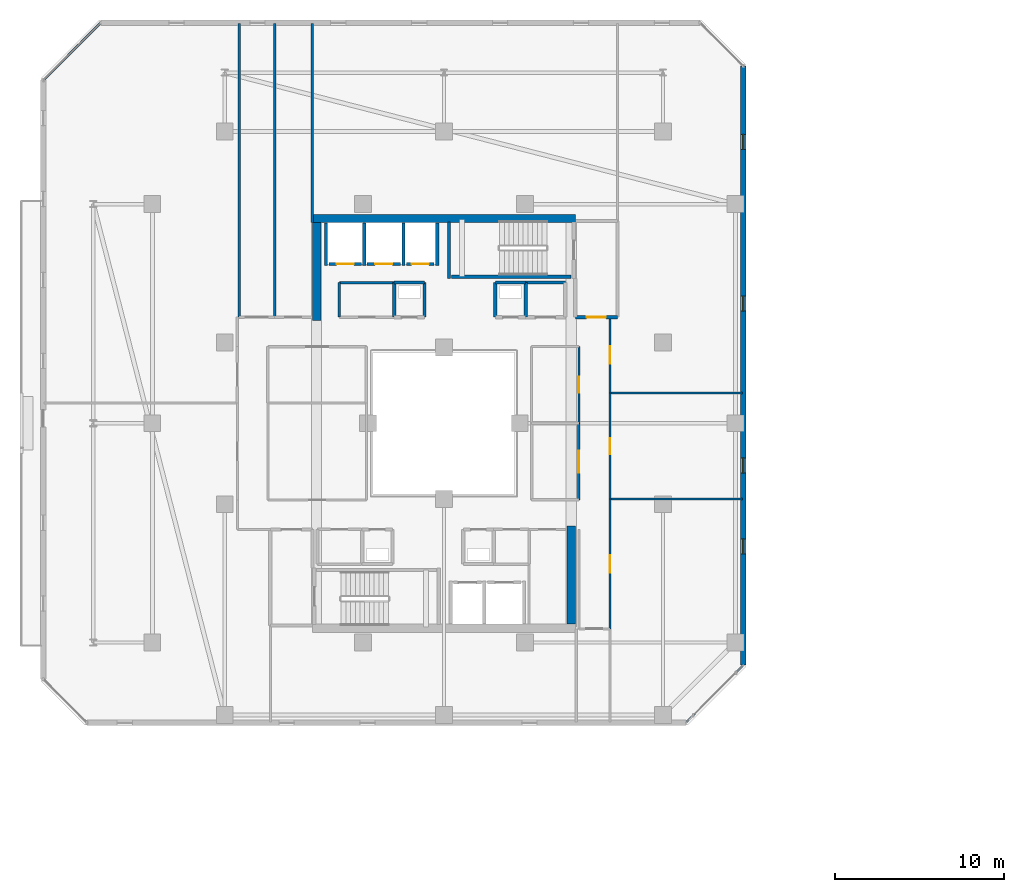
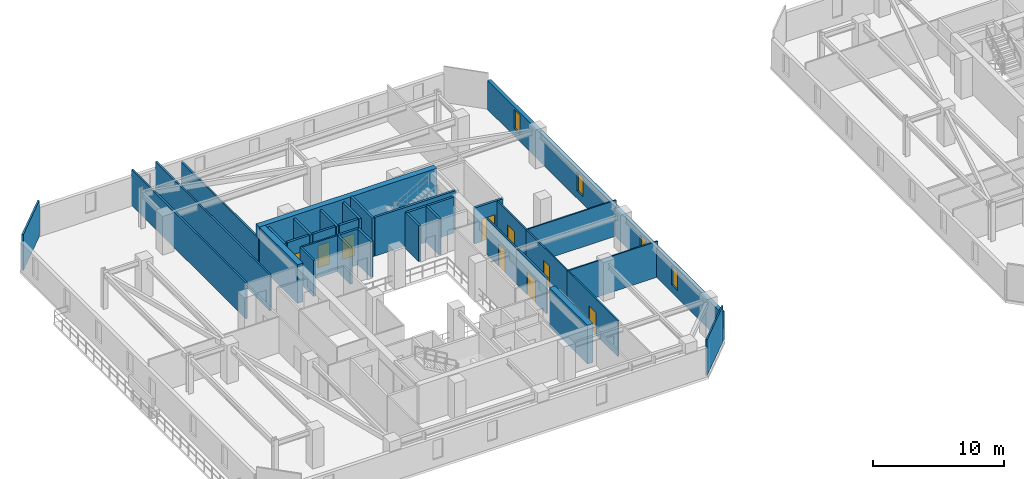
# One storey, part 21 of 33: 35 walls, 9 doors, 4 windows, 13 openings.
"""IFC4 building model written with IfcOpenShell, lengths in metres."""

import ifcopenshell
import ifcopenshell.guid

model = None  # the IFC model being written
_history = None  # IfcOwnerHistory: only IFC2X3 demands one
_inside = {}  # id of a spatial element -> (the spatial element, [elements in it])
_under = {}  # id of a project, library or spatial element -> (it, [spatial elements below it])
_declared = {}  # id of a project -> (the project, [libraries it declares])
_typed = {}  # id of a type object -> (the type object, [elements of that type])
_made_of = {}  # id of a material, layer set ... -> (it, [elements and type objects made of it])


def new_model(schema):
    """Start an empty IFC model of exactly this schema.

    Asked for "IFC4X3", IfcOpenShell would pick the latest addendum, in which some entities
    have other attributes; the version numbers below select the first issue.
    IFC2X3 requires an IfcOwnerHistory on every rooted entity: one is made here for all.
    """
    global model, _history
    if schema == "IFC4X3":
        model = ifcopenshell.file(schema_version=(4, 3, 0, 0))
    else:
        model = ifcopenshell.file(schema=schema)
    _inside.clear()
    _under.clear()
    _declared.clear()
    _typed.clear()
    _made_of.clear()
    _history = None
    if model.schema == "IFC2X3":
        org = make("IfcOrganization", Name="unknown")
        user = make(
            "IfcPersonAndOrganization",
            ThePerson=make("IfcPerson", FamilyName="unknown"),
            TheOrganization=org,
        )
        app = make(
            "IfcApplication",
            ApplicationDeveloper=org,
            Version="unknown",
            ApplicationFullName="unknown",
            ApplicationIdentifier="unknown",
        )
        _history = make(
            "IfcOwnerHistory",
            OwningUser=user,
            OwningApplication=app,
            ChangeAction="ADDED",
            CreationDate=0,
        )
    return model


def make(cls, **values):
    """One entity of the class cls with the attributes given. An attribute that is None is left unset."""
    return model.create_entity(
        cls, **{name: value for name, value in values.items() if value is not None}
    )


def rooted(cls, **values):
    """An entity with a GlobalId (a new one), such as an element, a storey or a relation."""
    return make(cls, GlobalId=ifcopenshell.guid.new(), OwnerHistory=_history, **values)


def si_unit(unit_type, name, prefix=None):
    """IfcSIUnit, for example si_unit("LENGTHUNIT", "METRE", prefix="MILLI")."""
    return make("IfcSIUnit", UnitType=unit_type, Prefix=prefix, Name=name)


def assignment(units):
    """IfcUnitAssignment: the units of a project."""
    return None if units is None else make("IfcUnitAssignment", Units=units)


def point(xyz):
    """IfcCartesianPoint."""
    return None if xyz is None else make("IfcCartesianPoint", Coordinates=xyz)


def direction(xyz):
    """IfcDirection."""
    return None if xyz is None else make("IfcDirection", DirectionRatios=xyz)


def frame(location, z_axis=None, x_axis=None):
    """IfcAxis2Placement3D, a coordinate frame: its origin and axes. An axis left out is left unset."""
    return make(
        "IfcAxis2Placement3D",
        Location=point(location),
        Axis=direction(z_axis),
        RefDirection=direction(x_axis),
    )


def frame_2d(location, x_axis=None):
    """IfcAxis2Placement2D, a coordinate frame in the plane: its origin and x axis."""
    return make(
        "IfcAxis2Placement2D", Location=point(location), RefDirection=direction(x_axis)
    )


def origin():
    """The frame at (0, 0, 0) with its axes left unset."""
    return frame((0.0, 0.0, 0.0))


def place(relative_to, where):
    """IfcLocalPlacement: puts the frame where relative to a parent placement (None: the world)."""
    return make(
        "IfcLocalPlacement", PlacementRelTo=relative_to, RelativePlacement=where
    )


def context(
    kind, dimensions, precision=None, world=None, true_north=None, identifier=None
):
    """IfcGeometricRepresentationContext, for example the 3D "Model" context."""
    return make(
        "IfcGeometricRepresentationContext",
        ContextIdentifier=identifier,
        ContextType=kind,
        CoordinateSpaceDimension=dimensions,
        Precision=precision,
        WorldCoordinateSystem=world,
        TrueNorth=true_north,
    )


def subcontext(parent, identifier, kind, view, scale=None):
    """IfcGeometricRepresentationSubContext, for example "Body" below "Model"."""
    return make(
        "IfcGeometricRepresentationSubContext",
        ContextIdentifier=identifier,
        ContextType=kind,
        ParentContext=parent,
        TargetScale=scale,
        TargetView=view,
    )


def project(units=None, contexts=None):
    """IfcProject with its units and contexts."""
    return rooted(
        "IfcProject",
        Name="project",
        RepresentationContexts=contexts,
        UnitsInContext=assignment(units),
    )


def spatial(cls, under=None, at=None, **own):
    """A site, building, storey or space (cls), placed at a placement, below another one or the project."""
    s = rooted(cls, ObjectPlacement=at, **own)
    if under is not None:
        _under.setdefault(under.id(), (under, []))[1].append(s)
    return s


def profile(cls, at=None, kind="AREA", **sizes):
    """A parametric profile (cls). Its sizes go by their IFC names, for example OverallWidth=200.0."""
    return make(cls, ProfileType=kind, Position=at, **sizes)


def rectangle(**sizes):
    """IfcRectangleProfileDef."""
    return profile("IfcRectangleProfileDef", **sizes)


def extrude(swept, where, along, depth):
    """IfcExtrudedAreaSolid: the profile swept, set in the frame where, extruded along a direction by depth."""
    return make(
        "IfcExtrudedAreaSolid",
        SweptArea=swept,
        Position=where,
        ExtrudedDirection=direction(along),
        Depth=depth,
    )


def shape(context_of_items, identifier, shape_type, items):
    """IfcShapeRepresentation: the items that make up one representation, for example the "Body"."""
    return make(
        "IfcShapeRepresentation",
        ContextOfItems=context_of_items,
        RepresentationIdentifier=identifier,
        RepresentationType=shape_type,
        Items=items,
    )


def material(Name=None, Category=None):
    """IfcMaterial."""
    return make("IfcMaterial", Name=Name, Category=Category)


def layer(
    of_material, thickness, ventilated=None, Name=None, Category=None, Priority=None
):
    """IfcMaterialLayer: one layer of a wall or slab, of a material (None: an air gap)."""
    return make(
        "IfcMaterialLayer",
        Material=of_material,
        LayerThickness=thickness,
        IsVentilated=ventilated,
        Name=Name,
        Category=Category,
        Priority=Priority,
    )


def layer_set(layers, Name=None):
    """IfcMaterialLayerSet."""
    return make("IfcMaterialLayerSet", MaterialLayers=layers, LayerSetName=Name)


def made_of(thing, what):
    """Note that an element or type object is made of a material, layer set ...; save() writes the relation."""
    if what is not None:
        _made_of.setdefault(what.id(), (what, []))[1].append(thing)
    return thing


def type_object(cls, material=None, **own):
    """A type object (cls), such as IfcWallType, which elements share."""
    return made_of(rooted(cls, **own), material)


def element(
    cls,
    number,
    at=None,
    inside=None,
    cuts=None,
    type_object=None,
    material=None,
    context=None,
    identifier="Body",
    shape_type=None,
    held_by="IfcProductDefinitionShape",
    body=None,
    shapes=None,
    **own,
):
    """One element of the class cls, such as IfcWall. Its Tag is "e" and its number.

    at: its placement. inside: the storey or other place that contains it. cuts: it is an
    opening in that element (IfcRelVoidsElement). A single representation is given by context,
    identifier, shape_type and body (its items); several are given by shapes. held_by: the class
    of the entity that holds the representations. save() writes the other relations.
    """
    e = rooted(cls, Tag="e%d" % number, ObjectPlacement=at, **own)
    if body is not None:
        shapes = [shape(context, identifier, shape_type, body)]
    if shapes is not None:
        e.Representation = make(held_by, Representations=shapes)
    if inside is not None:
        _inside.setdefault(inside.id(), (inside, []))[1].append(e)
    if cuts is not None:
        rooted(
            "IfcRelVoidsElement", RelatingBuildingElement=cuts, RelatedOpeningElement=e
        )
    if type_object is not None:
        _typed.setdefault(type_object.id(), (type_object, []))[1].append(e)
    return made_of(e, material)


def fill(opening, filler):
    """IfcRelFillsElement: the door or window that sits in an opening."""
    return rooted(
        "IfcRelFillsElement",
        RelatingOpeningElement=opening,
        RelatedBuildingElement=filler,
    )


def aggregate(whole, parts):
    """IfcRelAggregates: a whole, such as a stair, and the parts it consists of."""
    return rooted("IfcRelAggregates", RelatingObject=whole, RelatedObjects=parts)


def save(model, path):
    """Write the relations noted so far, then the file.

    IfcRelAggregates (storeys below a building ...), IfcRelContainedInSpatialStructure (elements
    in a storey), IfcRelDefinesByType, IfcRelAssociatesMaterial and IfcRelDeclares: one each for
    every whole, place, type object, material and project.
    """
    for whole, parts in _under.values():
        aggregate(whole, parts)
    for where, things in _inside.values():
        rooted(
            "IfcRelContainedInSpatialStructure",
            RelatedElements=things,
            RelatingStructure=where,
        )
    for kind, things in _typed.values():
        rooted("IfcRelDefinesByType", RelatedObjects=things, RelatingType=kind)
    for what, things in _made_of.values():
        rooted("IfcRelAssociatesMaterial", RelatedObjects=things, RelatingMaterial=what)
    for by, libraries in _declared.values():
        rooted("IfcRelDeclares", RelatingContext=by, RelatedDefinitions=libraries)
    model.write(path)


model = new_model("IFC4")

# Units and contexts
model_context = context("Model", 3, precision=1e-05, world=origin(), true_north=direction((0.0, 1.0)))
body_context = subcontext(model_context, "Body", "Model", "MODEL_VIEW")
ifc_project = project(units=[si_unit("LENGTHUNIT", "METRE"), si_unit("AREAUNIT", "SQUARE_METRE"), si_unit("VOLUMEUNIT", "CUBIC_METRE"), si_unit("PLANEANGLEUNIT", "RADIAN"), si_unit("MASSUNIT", "GRAM", prefix="KILO")], contexts=[model_context])

# Site, building, storey
site_placement = place(None, origin())
site = spatial("IfcSite", under=ifc_project, at=site_placement, CompositionType="ELEMENT")
building_placement = place(site_placement, origin())
building = spatial("IfcBuilding", under=site, at=building_placement, Name="Thornwick Lancets Civic Towers", CompositionType="ELEMENT")
storey_placement = place(building_placement, frame((0.0, 0.0, 210.89990234375)))
storey = spatial("IfcBuildingStorey", under=building, at=storey_placement, Name="L56", CompositionType="ELEMENT", Elevation=210.89990234375)

# Wall, opening, door
ifc_material_1 = material(Name="Concrete blockwork C40/50", Category="masonry")
ifc_layer_1 = layer(ifc_material_1, 0.199951171875, Name="Concrete blockwork C40/50")
ifc_layer_set_1 = layer_set([ifc_layer_1], Name="Concrete blockwork C40/50")
wall_type_1 = type_object("IfcWallType", Name="WALL_COMP_200", PredefinedType="STANDARD", material=ifc_layer_set_1)
wall_1_placement = place(storey_placement, frame((24.919921875, 36.449951171875, 0.0), z_axis=(0.0, 0.0, 1.0), x_axis=(-1.0, 0.0, 0.0)))
wall_1 = element("IfcWall", 1, at=wall_1_placement, inside=storey, type_object=wall_type_1, Name="L56 Hoistway Front Wall FL-A2", PredefinedType="STANDARD", context=body_context, shape_type="SweptSolid", body=[
    extrude(rectangle(XDim=1.639892578125, YDim=0.199951171875, at=frame_2d((0.81982421875, 0.0))), origin(), (0.0, 0.0, 1.0), 3.340087890625),
])
opening_1_placement = place(wall_1_placement, frame((0.31005859375, 0.0, 0.0)))
opening_1 = element("IfcOpeningElement", 2, at=opening_1_placement, cuts=wall_1, Name="Opening LD-FL-A2", PredefinedType="OPENING", context=body_context, shape_type="SweptSolid", body=[
    extrude(rectangle(XDim=1.02001953125, YDim=2.06005859375, at=frame_2d((0.510009765625, 1.030029296875))), frame((0.0, 0.10986328125, 0.0), z_axis=(0.0, -1.0, 0.0), x_axis=(1.0, 0.0, 0.0)), (0.0, 0.0, 1.0), 0.219970703125),
])
ifc_material_2 = material(Name="Brushed bronze stainless steel", Category="steel")
door_type_1 = type_object("IfcDoorType", Name="DOOR_LIFT_SLIDE", OperationType="SLIDING_TO_LEFT", PredefinedType="DOOR", material=ifc_material_2)
door_1_placement = place(opening_1_placement, origin())
door_1 = element("IfcDoor", 3, at=door_1_placement, inside=storey, type_object=door_type_1, Name="L56 Sliding Lift Landing Door LD-FL-A2", OperationType="SLIDING_TO_LEFT", OverallHeight=2.06005859375, OverallWidth=1.02001953125, PredefinedType="DOOR", context=body_context, shape_type="SweptSolid", body=[
    extrude(rectangle(XDim=1.02001953125, YDim=2.06005859375, at=frame_2d((0.510009765625, 1.030029296875))), frame((0.0, 0.02490234375, 0.0), z_axis=(0.0, -1.0, 0.0), x_axis=(1.0, 0.0, 0.0)), (0.0, 0.0, 1.0), 0.050048828125),
])
fill(opening_1, door_1)

wall_2_placement = place(storey_placement, frame((22.919921875, 36.449951171875, 0.0), z_axis=(0.0, 0.0, 1.0), x_axis=(-1.0, 0.0, 0.0)))
wall_2 = element("IfcWall", 4, at=wall_2_placement, inside=storey, type_object=wall_type_1, Name="L56 Hoistway Front Wall PL-AH2", PredefinedType="STANDARD", context=body_context, shape_type="SweptSolid", body=[
    extrude(rectangle(XDim=1.989990234375, YDim=0.199951171875, at=frame_2d((0.9951171875, 0.0))), origin(), (0.0, 0.0, 1.0), 3.340087890625),
])
opening_2_placement = place(wall_2_placement, frame((0.485107421875, 0.0, 0.0)))
opening_2 = element("IfcOpeningElement", 5, at=opening_2_placement, cuts=wall_2, Name="Opening LD-PL-AH2", PredefinedType="OPENING", context=body_context, shape_type="SweptSolid", body=[
    extrude(rectangle(XDim=1.02001953125, YDim=2.06005859375, at=frame_2d((0.510009765625, 1.030029296875))), frame((0.0, 0.10986328125, 0.0), z_axis=(0.0, -1.0, 0.0), x_axis=(1.0, 0.0, 0.0)), (0.0, 0.0, 1.0), 0.219970703125),
])
door_2_placement = place(opening_2_placement, origin())
door_2 = element("IfcDoor", 6, at=door_2_placement, inside=storey, type_object=door_type_1, Name="L56 Sliding Lift Landing Door LD-PL-AH2", OperationType="SLIDING_TO_LEFT", OverallHeight=2.06005859375, OverallWidth=1.02001953125, PredefinedType="DOOR", context=body_context, shape_type="SweptSolid", body=[
    extrude(rectangle(XDim=1.02001953125, YDim=2.06005859375, at=frame_2d((0.510009765625, 1.030029296875))), frame((0.0, 0.02490234375, 0.0), z_axis=(0.0, -1.0, 0.0), x_axis=(1.0, 0.0, 0.0)), (0.0, 0.0, 1.0), 0.050048828125),
])
fill(opening_2, door_2)

wall_3_placement = place(storey_placement, frame((20.6201171875, 36.449951171875, 0.0), z_axis=(0.0, 0.0, 1.0), x_axis=(-1.0, 0.0, 0.0)))
wall_3 = element("IfcWall", 7, at=wall_3_placement, inside=storey, type_object=wall_type_1, Name="L56 Hoistway Front Wall PL-AH3", PredefinedType="STANDARD", context=body_context, shape_type="SweptSolid", body=[
    extrude(rectangle(XDim=1.940185546875, YDim=0.199951171875, at=frame_2d((0.97021484375, 0.0))), origin(), (0.0, 0.0, 1.0), 3.340087890625),
])
opening_3_placement = place(wall_3_placement, frame((0.4599609375, 0.0, 0.0)))
opening_3 = element("IfcOpeningElement", 8, at=opening_3_placement, cuts=wall_3, Name="Opening LD-PL-AH3", PredefinedType="OPENING", context=body_context, shape_type="SweptSolid", body=[
    extrude(rectangle(XDim=1.02001953125, YDim=2.06005859375, at=frame_2d((0.510009765625, 1.030029296875))), frame((0.0, 0.10986328125, 0.0), z_axis=(0.0, -1.0, 0.0), x_axis=(1.0, 0.0, 0.0)), (0.0, 0.0, 1.0), 0.219970703125),
])
door_3_placement = place(opening_3_placement, origin())
door_3 = element("IfcDoor", 9, at=door_3_placement, inside=storey, type_object=door_type_1, Name="L56 Sliding Lift Landing Door LD-PL-AH3", OperationType="SLIDING_TO_LEFT", OverallHeight=2.06005859375, OverallWidth=1.02001953125, PredefinedType="DOOR", context=body_context, shape_type="SweptSolid", body=[
    extrude(rectangle(XDim=1.02001953125, YDim=2.06005859375, at=frame_2d((0.510009765625, 1.030029296875))), frame((0.0, 0.02490234375, 0.0), z_axis=(0.0, -1.0, 0.0), x_axis=(1.0, 0.0, 0.0)), (0.0, 0.0, 1.0), 0.050048828125),
])
fill(opening_3, door_3)

# Walls
for number, where, z_axis, x_axis, name in (
    (10, (25.10009765625, 36.35205078125, 0.0), (0.0, 0.0, 1.0), (0.0, 1.0, 0.0), "L56 Hoistway Shaft Wall FL-A2 E"),
    (11, (23.10009765625, 36.35205078125, 0.0), (0.0, 0.0, 1.0), (0.0, 1.0, 0.0), "L56 Hoistway Shaft Wall FL-A2 W"),
    (12, (20.77490234375, 36.35205078125, 0.0), (0.0, 0.0, 1.0), (0.0, 1.0, 0.0), "L56 Hoistway Shaft Wall PL-AH2 W"),
    (13, (18.5, 36.35205078125, 0.0), (0.0, 0.0, 1.0), (0.0, 1.0, 0.0), "L56 Hoistway Shaft Wall PL-AH3 W"),
):
    element("IfcWall", number, at=place(storey_placement, frame(where, z_axis=z_axis, x_axis=x_axis)), inside=storey, type_object=wall_type_1, Name=name, PredefinedType="STANDARD", context=body_context, shape_type="SweptSolid", body=[
        extrude(rectangle(XDim=2.535888671875, YDim=0.199951171875, at=frame_2d((1.26806640625, 0.0))), origin(), (0.0, 0.0, 1.0), 3.340087890625),
    ])

# Wall, opening, door
wall_4_placement = place(storey_placement, frame((33.300048828125, 33.300048828125, 0.0), z_axis=(0.0, 0.0, 1.0), x_axis=(1.0, 0.0, 0.0)))
wall_4 = element("IfcWall", 14, at=wall_4_placement, inside=storey, type_object=wall_type_1, Name="L56 Partition L56-A-FFLOB2 E1", PredefinedType="STANDARD", context=body_context, shape_type="SweptSolid", body=[
    extrude(rectangle(XDim=2.5, YDim=0.199951171875, at=frame_2d((1.25, 0.0))), origin(), (0.0, 0.0, 1.0), 3.340087890625),
])
opening_4_placement = place(wall_4_placement, frame((0.659912109375, 0.0, 0.0)))
opening_4 = element("IfcOpeningElement", 15, at=opening_4_placement, cuts=wall_4, Name="Opening D-L56-2480", PredefinedType="OPENING", context=body_context, shape_type="SweptSolid", body=[
    extrude(rectangle(XDim=1.14990234375, YDim=2.10009765625, at=frame_2d((0.574951171875, 1.050048828125))), frame((0.0, 0.10986328125, 0.0), z_axis=(0.0, -1.0, 0.0), x_axis=(1.0, 0.0, 0.0)), (0.0, 0.0, 1.0), 0.219970703125),
])
ifc_material_3 = material(Name="Glazed fire-resisting steel", Category="steel")
door_type_2 = type_object("IfcDoorType", Name="DOOR_LOBBY_FD60", OperationType="NOTDEFINED", PredefinedType="DOOR", material=ifc_material_3)
door_4_placement = place(opening_4_placement, origin())
door_4 = element("IfcDoor", 16, at=door_4_placement, inside=storey, type_object=door_type_2, Name="L56 North Firefighting Lobby 2 Door", OperationType="SINGLE_SWING_LEFT", OverallHeight=2.10009765625, OverallWidth=1.14990234375, PredefinedType="DOOR", context=body_context, shape_type="SweptSolid", body=[
    extrude(rectangle(XDim=1.14990234375, YDim=2.10009765625, at=frame_2d((0.574951171875, 1.050048828125))), frame((0.0, 0.02490234375, 0.0), z_axis=(0.0, -1.0, 0.0), x_axis=(1.0, 0.0, 0.0)), (0.0, 0.0, 1.0), 0.050048828125),
])
fill(opening_4, door_4)

# Walls
wall_5_placement = place(storey_placement, frame((24.35009765625, 33.300048828125, 0.0), z_axis=(0.0, 0.0, 1.0), x_axis=(0.0, 1.0, 0.0)))
element("IfcWall", 17, at=wall_5_placement, inside=storey, type_object=wall_type_1, Name="L56 Partition L56-A-DUCT2 E2", PredefinedType="STANDARD", context=body_context, shape_type="SweptSolid", body=[
    extrude(rectangle(XDim=2.050048828125, YDim=0.199951171875, at=frame_2d((1.02490234375, 0.0))), origin(), (0.0, 0.0, 1.0), 3.340087890625),
])
wall_6_placement = place(storey_placement, frame((24.35009765625, 35.35009765625, 0.0), z_axis=(0.0, 0.0, 1.0), x_axis=(-1.0, 0.0, 0.0)))
element("IfcWall", 18, at=wall_6_placement, inside=storey, type_object=wall_type_1, Name="L56 Partition L56-A-DUCT2 E3", PredefinedType="STANDARD", context=body_context, shape_type="SweptSolid", body=[
    extrude(rectangle(XDim=1.800048828125, YDim=0.199951171875, at=frame_2d((0.89990234375, 0.0))), origin(), (0.0, 0.0, 1.0), 3.340087890625),
])
for number, where, z_axis, x_axis, name in (
    (19, (22.550048828125, 35.35009765625, 0.0), (0.0, 0.0, 1.0), (0.0, -1.0, 0.0), "L56 Partition L56-A-DUCT2 E4"),
    (20, (30.35009765625, 33.300048828125, 0.0), (0.0, 0.0, 1.0), (0.0, 1.0, 0.0), "L56 Partition L56-A-RISER2 E2"),
):
    element("IfcWall", number, at=place(storey_placement, frame(where, z_axis=z_axis, x_axis=x_axis)), inside=storey, type_object=wall_type_1, Name=name, PredefinedType="STANDARD", context=body_context, shape_type="SweptSolid", body=[
        extrude(rectangle(XDim=2.050048828125, YDim=0.199951171875, at=frame_2d((1.02490234375, 0.0))), origin(), (0.0, 0.0, 1.0), 3.340087890625),
    ])
wall_7_placement = place(storey_placement, frame((30.35009765625, 35.35009765625, 0.0), z_axis=(0.0, 0.0, 1.0), x_axis=(-1.0, 0.0, 0.0)))
element("IfcWall", 21, at=wall_7_placement, inside=storey, type_object=wall_type_1, Name="L56 Partition L56-A-RISER2 E3", PredefinedType="STANDARD", context=body_context, shape_type="SweptSolid", body=[
    extrude(rectangle(XDim=1.800048828125, YDim=0.199951171875, at=frame_2d((0.89990234375, 0.0))), origin(), (0.0, 0.0, 1.0), 3.340087890625),
])
wall_8_placement = place(storey_placement, frame((28.550048828125, 35.35009765625, 0.0), z_axis=(0.0, 0.0, 1.0), x_axis=(0.0, -1.0, 0.0)))
element("IfcWall", 22, at=wall_8_placement, inside=storey, type_object=wall_type_1, Name="L56 Partition L56-A-RISER2 E4", PredefinedType="STANDARD", context=body_context, shape_type="SweptSolid", body=[
    extrude(rectangle(XDim=2.050048828125, YDim=0.199951171875, at=frame_2d((1.02490234375, 0.0))), origin(), (0.0, 0.0, 1.0), 3.340087890625),
])
wall_9_placement = place(storey_placement, frame((30.35009765625, 35.35009765625, 0.0), z_axis=(0.0, 0.0, 1.0), x_axis=(1.0, 0.0, 0.0)))
element("IfcWall", 23, at=wall_9_placement, inside=storey, type_object=wall_type_1, Name="L56 Partition L56-A-STR E4", PredefinedType="STANDARD", context=body_context, shape_type="SweptSolid", body=[
    extrude(rectangle(XDim=2.349853515625, YDim=0.199951171875, at=frame_2d((1.1748046875, 0.0))), origin(), (0.0, 0.0, 1.0), 3.340087890625),
])
ifc_material_4 = material(Name="Concrete C50/60", Category="concrete")
ifc_layer_2 = layer(ifc_material_4, 0.5, Name="Concrete C50/60")
ifc_layer_set_2 = layer_set([ifc_layer_2], Name="Concrete C50/60")
wall_type_2 = type_object("IfcWallType", Name="WALL_CORE_500", PredefinedType="SHEAR", material=ifc_layer_set_2)
wall_10_placement = place(storey_placement, frame((33.050048828125, 15.10009765625, 0.0), z_axis=(0.0, 0.0, 1.0), x_axis=(0.0, 1.0, 0.0)))
element("IfcWall", 24, at=wall_10_placement, inside=storey, type_object=wall_type_2, Name="L56 Split Core A1 Shear Wall E", PredefinedType="SHEAR", context=body_context, shape_type="SweptSolid", body=[
    extrude(rectangle(XDim=5.7998046875, YDim=0.5, at=frame_2d((2.89990234375, 0.0))), origin(), (0.0, 0.0, 1.0), 3.60009765625),
])
wall_11_placement = place(storey_placement, frame((17.699951171875, 39.14990234375, 0.0), z_axis=(0.0, 0.0, 1.0), x_axis=(1.0, 0.0, 0.0)))
element("IfcWall", 25, at=wall_11_placement, inside=storey, type_object=wall_type_2, Name="L56 Split Core A2 Shear Wall N", PredefinedType="SHEAR", context=body_context, shape_type="SweptSolid", body=[
    extrude(rectangle(XDim=15.60009765625, YDim=0.5, at=frame_2d((7.800048828125, 0.0))), origin(), (0.0, 0.0, 1.0), 3.60009765625),
])
wall_12_placement = place(storey_placement, frame((17.949951171875, 33.10009765625, 0.0), z_axis=(0.0, 0.0, 1.0), x_axis=(0.0, 1.0, 0.0)))
element("IfcWall", 26, at=wall_12_placement, inside=storey, type_object=wall_type_2, Name="L56 Split Core A2 Shear Wall W", PredefinedType="SHEAR", context=body_context, shape_type="SweptSolid", body=[
    extrude(rectangle(XDim=5.7998046875, YDim=0.5, at=frame_2d((2.89990234375, 0.0))), origin(), (0.0, 0.0, 1.0), 3.60009765625),
])

# Wall, openings, windows
ifc_material_5 = material(Name="Insulated buff terracotta rainscreen on concrete C40/50", Category="masonry")
ifc_layer_3 = layer(ifc_material_5, 0.320068359375, Name="Insulated buff terracotta rainscreen on concrete C40/50")
ifc_layer_set_3 = layer_set([ifc_layer_3], Name="Insulated buff terracotta rainscreen on concrete C40/50")
wall_type_3 = type_object("IfcWallType", Name="WALL_EXT_TERRA_320", PredefinedType="STANDARD", material=ifc_layer_set_3)
wall_13_placement = place(storey_placement, frame((43.261962890625, 12.646484375, 0.0), z_axis=(0.0, 0.0, 1.0), x_axis=(7.5574884e-05, 0.999999997144, 0.0)))
wall_13 = element("IfcWall", 27, at=wall_13_placement, inside=storey, type_object=wall_type_3, Name="L56 Tower A Terracotta Facade Wall E2", PredefinedType="STANDARD", context=body_context, shape_type="SweptSolid", body=[
    extrude(rectangle(XDim=35.534912109375, YDim=0.320068359375, at=frame_2d((17.767578125, 0.0))), origin(), (0.0, 0.0, 1.0), 2.7001953125),
])
opening_5_placement = place(wall_13_placement, frame((6.60009765625, 0.0, 0.719970703125)))
opening_5 = element("IfcOpeningElement", 28, at=opening_5_placement, cuts=wall_13, Name="Opening WL-01", PredefinedType="OPENING", context=body_context, shape_type="SweptSolid", body=[
    extrude(rectangle(XDim=0.89990234375, YDim=1.75, at=frame_2d((0.449951171875, 0.875))), frame((0.0, 0.169921875, 0.0), z_axis=(0.0, -1.0, 0.0), x_axis=(1.0, 0.0, 0.0)), (0.0, 0.0, 1.0), 0.340087890625),
])
opening_6_placement = place(wall_13_placement, frame((11.39990234375, 0.0, 0.719970703125)))
opening_6 = element("IfcOpeningElement", 29, at=opening_6_placement, cuts=wall_13, Name="Opening WL-01", PredefinedType="OPENING", context=body_context, shape_type="SweptSolid", body=[
    extrude(rectangle(XDim=0.89990234375, YDim=1.75, at=frame_2d((0.449951171875, 0.875))), frame((0.0, 0.169921875, 0.0), z_axis=(0.0, -1.0, 0.0), x_axis=(1.0, 0.0, 0.0)), (0.0, 0.0, 1.0), 0.340087890625),
])
opening_7_placement = place(wall_13_placement, frame((21.0, 0.0, 0.719970703125)))
opening_7 = element("IfcOpeningElement", 30, at=opening_7_placement, cuts=wall_13, Name="Opening WL-01", PredefinedType="OPENING", context=body_context, shape_type="SweptSolid", body=[
    extrude(rectangle(XDim=0.89990234375, YDim=1.75, at=frame_2d((0.449951171875, 0.875))), frame((0.0, 0.169921875, 0.0), z_axis=(0.0, -1.0, 0.0), x_axis=(1.0, 0.0, 0.0)), (0.0, 0.0, 1.0), 0.340087890625),
])
opening_8_placement = place(wall_13_placement, frame((30.60009765625, 0.0, 0.719970703125)))
opening_8 = element("IfcOpeningElement", 31, at=opening_8_placement, cuts=wall_13, Name="Opening WL-01", PredefinedType="OPENING", context=body_context, shape_type="SweptSolid", body=[
    extrude(rectangle(XDim=0.89990234375, YDim=1.75, at=frame_2d((0.449951171875, 0.875))), frame((0.0, 0.169921875, 0.0), z_axis=(0.0, -1.0, 0.0), x_axis=(1.0, 0.0, 0.0)), (0.0, 0.0, 1.0), 0.340087890625),
])
ifc_material_6 = material(Name="Clear low-e double glazing in bronze frame", Category="glass")
window_type = type_object("IfcWindowType", Name="WIN_LANCET_900", PartitioningType="SINGLE_PANEL", PredefinedType="WINDOW", material=ifc_material_6)
window_1_placement = place(opening_5_placement, origin())
window_1 = element("IfcWindow", 32, at=window_1_placement, inside=storey, type_object=window_type, Name="L56 Tower A Staggered Lancet Window E2-1", OverallHeight=1.75, OverallWidth=0.89990234375, PartitioningType="SINGLE_PANEL", PredefinedType="WINDOW", context=body_context, shape_type="SweptSolid", body=[
    extrude(rectangle(XDim=0.89990234375, YDim=1.75, at=frame_2d((0.449951171875, 0.875))), frame((0.0, 0.030029296875, 0.0), z_axis=(0.0, -1.0, 0.0), x_axis=(1.0, 0.0, 0.0)), (0.0, 0.0, 1.0), 0.06005859375),
])
fill(opening_5, window_1)
window_2_placement = place(opening_6_placement, origin())
window_2 = element("IfcWindow", 33, at=window_2_placement, inside=storey, type_object=window_type, Name="L56 Tower A Staggered Lancet Window E2-2", OverallHeight=1.75, OverallWidth=0.89990234375, PartitioningType="SINGLE_PANEL", PredefinedType="WINDOW", context=body_context, shape_type="SweptSolid", body=[
    extrude(rectangle(XDim=0.89990234375, YDim=1.75, at=frame_2d((0.449951171875, 0.875))), frame((0.0, 0.030029296875, 0.0), z_axis=(0.0, -1.0, 0.0), x_axis=(1.0, 0.0, 0.0)), (0.0, 0.0, 1.0), 0.06005859375),
])
fill(opening_6, window_2)
window_3_placement = place(opening_7_placement, origin())
window_3 = element("IfcWindow", 34, at=window_3_placement, inside=storey, type_object=window_type, Name="L56 Tower A Staggered Lancet Window E2-3", OverallHeight=1.75, OverallWidth=0.89990234375, PartitioningType="SINGLE_PANEL", PredefinedType="WINDOW", context=body_context, shape_type="SweptSolid", body=[
    extrude(rectangle(XDim=0.89990234375, YDim=1.75, at=frame_2d((0.449951171875, 0.875))), frame((0.0, 0.030029296875, 0.0), z_axis=(0.0, -1.0, 0.0), x_axis=(1.0, 0.0, 0.0)), (0.0, 0.0, 1.0), 0.06005859375),
])
fill(opening_7, window_3)
window_4_placement = place(opening_8_placement, origin())
window_4 = element("IfcWindow", 35, at=window_4_placement, inside=storey, type_object=window_type, Name="L56 Tower A Staggered Lancet Window E2-4", OverallHeight=1.75, OverallWidth=0.89990234375, PartitioningType="SINGLE_PANEL", PredefinedType="WINDOW", context=body_context, shape_type="SweptSolid", body=[
    extrude(rectangle(XDim=0.89990234375, YDim=1.75, at=frame_2d((0.449951171875, 0.875))), frame((0.0, 0.030029296875, 0.0), z_axis=(0.0, -1.0, 0.0), x_axis=(1.0, 0.0, 0.0)), (0.0, 0.0, 1.0), 0.06005859375),
])
fill(opening_8, window_4)

# Wall, opening, door
ifc_material_7 = material(Name="Acoustic gypsum board partition")
ifc_layer_4 = layer(ifc_material_7, 0.1201171875, Name="Acoustic gypsum board partition")
ifc_layer_set_4 = layer_set([ifc_layer_4], Name="Acoustic gypsum board partition")
wall_type_4 = type_object("IfcWallType", Name="WALL_PART_120", PredefinedType="PARTITIONING", material=ifc_layer_set_4)
wall_14_placement = place(storey_placement, frame((35.35009765625, 14.800048828125, 0.0), z_axis=(0.0, 0.0, 1.0), x_axis=(0.0, 1.0, 0.0)))
wall_14 = element("IfcWall", 36, at=wall_14_placement, inside=storey, type_object=wall_type_4, Name="L56 Partition L56-A-E1 E3", PredefinedType="PARTITIONING", context=body_context, shape_type="SweptSolid", body=[
    extrude(rectangle(XDim=7.699951171875, YDim=0.1201171875, at=frame_2d((3.85009765625, 0.0))), origin(), (0.0, 0.0, 1.0), 3.340087890625),
])
opening_9_placement = place(wall_14_placement, frame((3.324951171875, 0.0, 0.0)))
opening_9 = element("IfcOpeningElement", 37, at=opening_9_placement, cuts=wall_14, Name="Opening D-L56-2508", PredefinedType="OPENING", context=body_context, shape_type="SweptSolid", body=[
    extrude(rectangle(XDim=1.050048828125, YDim=2.10009765625, at=frame_2d((0.52490234375, 1.050048828125))), frame((0.0, 0.070068359375, 0.0), z_axis=(0.0, -1.0, 0.0), x_axis=(1.0, 0.0, 0.0)), (0.0, 0.0, 1.0), 0.14013671875),
])
ifc_material_8 = material(Name="Glazed European oak executive doorset")
door_type_3 = type_object("IfcDoorType", Name="DOOR_OFFICE_1050", OperationType="NOTDEFINED", PredefinedType="DOOR", material=ifc_material_8)
door_5_placement = place(opening_9_placement, origin())
door_5 = element("IfcDoor", 38, at=door_5_placement, inside=storey, type_object=door_type_3, Name="L56 Tower A Secretariat Open Office E1 Door", OperationType="SINGLE_SWING_LEFT", OverallHeight=2.10009765625, OverallWidth=1.050048828125, PredefinedType="DOOR", context=body_context, shape_type="SweptSolid", body=[
    extrude(rectangle(XDim=1.050048828125, YDim=2.10009765625, at=frame_2d((0.52490234375, 1.050048828125))), frame((0.0, 0.02490234375, 0.0), z_axis=(0.0, -1.0, 0.0), x_axis=(1.0, 0.0, 0.0)), (0.0, 0.0, 1.0), 0.050048828125),
])
fill(opening_9, door_5)

# Walls
wall_15_placement = place(storey_placement, frame((35.35009765625, 22.5, 0.0), z_axis=(0.0, 0.0, 1.0), x_axis=(1.0, 0.0, 0.0)))
element("IfcWall", 39, at=wall_15_placement, inside=storey, type_object=wall_type_4, Name="L56 Partition L56-A-E1 E4", PredefinedType="PARTITIONING", context=body_context, shape_type="SweptSolid", body=[
    extrude(rectangle(XDim=7.869873046875, YDim=0.1201171875, at=frame_2d((3.93505859375, 0.0))), origin(), (0.0, 0.0, 1.0), 3.340087890625),
])
wall_16_placement = place(storey_placement, frame((43.219970703125, 12.605712890625, 0.0), z_axis=(0.0, 0.0, 1.0), x_axis=(-0.707106781187, -0.707106781187, 0.0)))
element("IfcWall", 40, at=wall_16_placement, inside=storey, type_object=wall_type_4, Name="L56 Partition L56-A-E1 E6", PredefinedType="PARTITIONING", context=body_context, shape_type="SweptSolid", body=[
    extrude(rectangle(XDim=4.703125, YDim=0.1201171875, at=frame_2d((2.3515625, 0.0))), origin(), (0.0, 0.0, 1.0), 3.340087890625),
])

# Wall, opening, door
wall_17_placement = place(storey_placement, frame((35.35009765625, 22.5, 0.0), z_axis=(0.0, 0.0, 1.0), x_axis=(0.0, 1.0, 0.0)))
wall_17 = element("IfcWall", 41, at=wall_17_placement, inside=storey, type_object=wall_type_4, Name="L56 Partition L56-A-E2 E1", PredefinedType="PARTITIONING", context=body_context, shape_type="SweptSolid", body=[
    extrude(rectangle(XDim=6.300048828125, YDim=0.1201171875, at=frame_2d((3.14990234375, 0.0))), origin(), (0.0, 0.0, 1.0), 3.340087890625),
])
opening_10_placement = place(wall_17_placement, frame((2.675048828125, 0.0, 0.0)))
opening_10 = element("IfcOpeningElement", 42, at=opening_10_placement, cuts=wall_17, Name="Opening D-L56-2509", PredefinedType="OPENING", context=body_context, shape_type="SweptSolid", body=[
    extrude(rectangle(XDim=0.949951171875, YDim=2.10009765625, at=frame_2d((0.47509765625, 1.050048828125))), frame((0.0, 0.070068359375, 0.0), z_axis=(0.0, -1.0, 0.0), x_axis=(1.0, 0.0, 0.0)), (0.0, 0.0, 1.0), 0.14013671875),
])
ifc_material_9 = material(Name="European oak acoustic doorset")
door_type_4 = type_object("IfcDoorType", Name="DOOR_OFFICE_950", OperationType="NOTDEFINED", PredefinedType="DOOR", material=ifc_material_9)
door_6_placement = place(opening_10_placement, origin())
door_6 = element("IfcDoor", 43, at=door_6_placement, inside=storey, type_object=door_type_4, Name="L56 Tower A Visitors Reception and Waiting Door", OperationType="SINGLE_SWING_RIGHT", OverallHeight=2.10009765625, OverallWidth=0.949951171875, PredefinedType="DOOR", context=body_context, shape_type="SweptSolid", body=[
    extrude(rectangle(XDim=0.949951171875, YDim=2.10009765625, at=frame_2d((0.47509765625, 1.050048828125))), frame((0.0, 0.02490234375, 0.0), z_axis=(0.0, -1.0, 0.0), x_axis=(1.0, 0.0, 0.0)), (0.0, 0.0, 1.0), 0.050048828125),
])
fill(opening_10, door_6)

# Wall
wall_18_placement = place(storey_placement, frame((35.35009765625, 28.800048828125, 0.0), z_axis=(0.0, 0.0, 1.0), x_axis=(1.0, 0.0, 0.0)))
element("IfcWall", 44, at=wall_18_placement, inside=storey, type_object=wall_type_4, Name="L56 Partition L56-A-E2 E2", PredefinedType="PARTITIONING", context=body_context, shape_type="SweptSolid", body=[
    extrude(rectangle(XDim=7.869873046875, YDim=0.1201171875, at=frame_2d((3.93505859375, 0.0))), origin(), (0.0, 0.0, 1.0), 3.340087890625),
])

# Wall, opening, door
wall_19_placement = place(storey_placement, frame((35.35009765625, 28.800048828125, 0.0), z_axis=(0.0, 0.0, 1.0), x_axis=(0.0, 1.0, 0.0)))
wall_19 = element("IfcWall", 45, at=wall_19_placement, inside=storey, type_object=wall_type_4, Name="L56 Partition L56-A-E3 E8", PredefinedType="PARTITIONING", context=body_context, shape_type="SweptSolid", body=[
    extrude(rectangle(XDim=4.5, YDim=0.1201171875, at=frame_2d((2.25, 0.0))), origin(), (0.0, 0.0, 1.0), 3.340087890625),
])
opening_11_placement = place(wall_19_placement, frame((1.72509765625, 0.0, 0.0)))
opening_11 = element("IfcOpeningElement", 46, at=opening_11_placement, cuts=wall_19, Name="Opening D-L56-2510", PredefinedType="OPENING", context=body_context, shape_type="SweptSolid", body=[
    extrude(rectangle(XDim=1.050048828125, YDim=2.10009765625, at=frame_2d((0.52490234375, 1.050048828125))), frame((0.0, 0.070068359375, 0.0), z_axis=(0.0, -1.0, 0.0), x_axis=(1.0, 0.0, 0.0)), (0.0, 0.0, 1.0), 0.14013671875),
])
door_7_placement = place(opening_11_placement, origin())
door_7 = element("IfcDoor", 47, at=door_7_placement, inside=storey, type_object=door_type_3, Name="L56 Tower A Civic Seminar Room Door", OperationType="SINGLE_SWING_LEFT", OverallHeight=2.10009765625, OverallWidth=1.050048828125, PredefinedType="DOOR", context=body_context, shape_type="SweptSolid", body=[
    extrude(rectangle(XDim=1.050048828125, YDim=2.10009765625, at=frame_2d((0.52490234375, 1.050048828125))), frame((0.0, 0.02490234375, 0.0), z_axis=(0.0, -1.0, 0.0), x_axis=(1.0, 0.0, 0.0)), (0.0, 0.0, 1.0), 0.050048828125),
])
fill(opening_11, door_7)

wall_20_placement = place(storey_placement, frame((33.5, 31.550048828125, 0.0), z_axis=(0.0, 0.0, 1.0), x_axis=(0.0, -1.0, 0.0)))
wall_20 = element("IfcWall", 48, at=wall_20_placement, inside=storey, type_object=wall_type_4, Name="L56 Partition L56-A-E-ATR-2 E3", PredefinedType="PARTITIONING", context=body_context, shape_type="SweptSolid", body=[
    extrude(rectangle(XDim=4.550048828125, YDim=0.1201171875, at=frame_2d((2.27490234375, 0.0))), origin(), (0.0, 0.0, 1.0), 3.340087890625),
])
opening_12_placement = place(wall_20_placement, frame((1.800048828125, 0.0, 0.0)))
opening_12 = element("IfcOpeningElement", 49, at=opening_12_placement, cuts=wall_20, Name="Opening D-L56-2512", PredefinedType="OPENING", context=body_context, shape_type="SweptSolid", body=[
    extrude(rectangle(XDim=0.949951171875, YDim=2.10009765625, at=frame_2d((0.47509765625, 1.050048828125))), frame((0.0, 0.070068359375, 0.0), z_axis=(0.0, -1.0, 0.0), x_axis=(1.0, 0.0, 0.0)), (0.0, 0.0, 1.0), 0.14013671875),
])
door_8_placement = place(opening_12_placement, origin())
door_8 = element("IfcDoor", 50, at=door_8_placement, inside=storey, type_object=door_type_4, Name="L56 Tower A Atrium Research Suite Door", OperationType="SINGLE_SWING_LEFT", OverallHeight=2.10009765625, OverallWidth=0.949951171875, PredefinedType="DOOR", context=body_context, shape_type="SweptSolid", body=[
    extrude(rectangle(XDim=0.949951171875, YDim=2.10009765625, at=frame_2d((0.47509765625, 1.050048828125))), frame((0.0, 0.02490234375, 0.0), z_axis=(0.0, -1.0, 0.0), x_axis=(1.0, 0.0, 0.0)), (0.0, 0.0, 1.0), 0.050048828125),
])
fill(opening_12, door_8)

# Walls
ifc_material_10 = material(Name="Twin-stud acoustic gypsum board")
ifc_layer_5 = layer(ifc_material_10, 0.14990234375, Name="Twin-stud acoustic gypsum board")
ifc_layer_set_5 = layer_set([ifc_layer_5], Name="Twin-stud acoustic gypsum board")
wall_type_5 = type_object("IfcWallType", Name="WALL_PART_150", PredefinedType="PARTITIONING", material=ifc_layer_set_5)
wall_21_placement = place(storey_placement, frame((19.300048828125, 33.300048828125, 0.0), z_axis=(0.0, 0.0, 1.0), x_axis=(0.0, 1.0, 0.0)))
element("IfcWall", 51, at=wall_21_placement, inside=storey, type_object=wall_type_5, Name="L56 Partition L56-A-FWC E1", PredefinedType="PARTITIONING", context=body_context, shape_type="SweptSolid", body=[
    extrude(rectangle(XDim=2.050048828125, YDim=0.14990234375, at=frame_2d((1.02490234375, 0.0))), origin(), (0.0, 0.0, 1.0), 3.340087890625),
])
wall_22_placement = place(storey_placement, frame((19.300048828125, 35.35009765625, 0.0), z_axis=(0.0, 0.0, 1.0), x_axis=(1.0, 0.0, 0.0)))
element("IfcWall", 52, at=wall_22_placement, inside=storey, type_object=wall_type_5, Name="L56 Partition L56-A-FWC E2", PredefinedType="PARTITIONING", context=body_context, shape_type="SweptSolid", body=[
    extrude(rectangle(XDim=3.25, YDim=0.14990234375, at=frame_2d((1.625, 0.0))), origin(), (0.0, 0.0, 1.0), 3.340087890625),
])
for number, where, z_axis, x_axis, name in (
    (53, (13.35009765625, 33.300048828125, 0.0), (0.0, 0.0, 1.0), (0.0, 1.0, 0.0), "L56 Partition L56-A-RECLAIM-M1 E1"),
    (54, (15.449951171875, 50.719970703125, 0.0), (0.0, 0.0, 1.0), (0.0, -1.0, 0.0), "L56 Partition L56-A-RECLAIM-M1 E3"),
):
    element("IfcWall", number, at=place(storey_placement, frame(where, z_axis=z_axis, x_axis=x_axis)), inside=storey, type_object=wall_type_5, Name=name, PredefinedType="PARTITIONING", context=body_context, shape_type="SweptSolid", body=[
        extrude(rectangle(XDim=17.419921875, YDim=0.14990234375, at=frame_2d((8.7099609375, 0.0))), origin(), (0.0, 0.0, 1.0), 3.340087890625),
    ])
wall_23_placement = place(storey_placement, frame((17.699951171875, 50.719970703125, 0.0), z_axis=(0.0, 0.0, 1.0), x_axis=(0.0, -1.0, 0.0)))
element("IfcWall", 55, at=wall_23_placement, inside=storey, type_object=wall_type_5, Name="L56 Partition L56-A-RECLAIM-M2 E3", PredefinedType="PARTITIONING", context=body_context, shape_type="SweptSolid", body=[
    extrude(rectangle(XDim=11.820068359375, YDim=0.14990234375, at=frame_2d((5.91015625, 0.0))), origin(), (0.0, 0.0, 1.0), 2.545166015625),
])
wall_24_placement = place(storey_placement, frame((1.780029296875, 47.394287109375, 0.0), z_axis=(0.0, 0.0, 1.0), x_axis=(0.707106781187, 0.707106781187, 0.0)))
element("IfcWall", 56, at=wall_24_placement, inside=storey, type_object=wall_type_5, Name="L56 Partition L56-A-W2 E2", PredefinedType="PARTITIONING", context=body_context, shape_type="SweptSolid", body=[
    extrude(rectangle(XDim=4.703125, YDim=0.14990234375, at=frame_2d((2.3515625, 0.0))), origin(), (0.0, 0.0, 1.0), 3.340087890625),
])

# Wall, opening, door
wall_25_placement = place(storey_placement, frame((33.5, 27.0, 0.0), z_axis=(0.0, 0.0, 1.0), x_axis=(0.0, -1.0, 0.0)))
wall_25 = element("IfcWall", 57, at=wall_25_placement, inside=storey, type_object=wall_type_5, Name="L56 Partition L56-A-E-ATR-1 E3", PredefinedType="PARTITIONING", context=body_context, shape_type="SweptSolid", body=[
    extrude(rectangle(XDim=4.550048828125, YDim=0.14990234375, at=frame_2d((2.27490234375, 0.0))), origin(), (0.0, 0.0, 1.0), 3.340087890625),
])
opening_13_placement = place(wall_25_placement, frame((1.625, 0.0, 0.0)))
opening_13 = element("IfcOpeningElement", 58, at=opening_13_placement, cuts=wall_25, Name="Opening D-L56-2511", PredefinedType="OPENING", context=body_context, shape_type="SweptSolid", body=[
    extrude(rectangle(XDim=1.300048828125, YDim=2.1201171875, at=frame_2d((0.64990234375, 1.06005859375))), frame((0.0, 0.0849609375, 0.0), z_axis=(0.0, -1.0, 0.0), x_axis=(1.0, 0.0, 0.0)), (0.0, 0.0, 1.0), 0.169921875),
])
ifc_material_11 = material(Name="Acoustic oak leaf-and-a-half doorset")
door_type_5 = type_object("IfcDoorType", Name="DOOR_MEET_1300", OperationType="DOUBLE_DOOR_SINGLE_SWING", PredefinedType="DOOR", material=ifc_material_11)
door_9_placement = place(opening_13_placement, origin())
door_9 = element("IfcDoor", 59, at=door_9_placement, inside=storey, type_object=door_type_5, Name="L56 Tower A Atrium Briefing Room Door", OperationType="DOUBLE_DOOR_SINGLE_SWING", OverallHeight=2.1201171875, OverallWidth=1.300048828125, PredefinedType="DOOR", context=body_context, shape_type="SweptSolid", body=[
    extrude(rectangle(XDim=1.300048828125, YDim=2.1201171875, at=frame_2d((0.64990234375, 1.06005859375))), frame((0.0, 0.02490234375, 0.0), z_axis=(0.0, -1.0, 0.0), x_axis=(1.0, 0.0, 0.0)), (0.0, 0.0, 1.0), 0.050048828125),
])
fill(opening_13, door_9)

# Walls
ifc_material_12 = material(Name="Concrete C40/50", Category="concrete")
ifc_layer_6 = layer(ifc_material_12, 0.199951171875, Name="Concrete C40/50")
ifc_layer_set_6 = layer_set([ifc_layer_6], Name="Concrete C40/50")
wall_type_6 = type_object("IfcWallType", Name="WALL_SHAFT_200", PredefinedType="SHEAR", material=ifc_layer_set_6)
wall_26_placement = place(storey_placement, frame((25.800048828125, 35.60009765625, 0.0), z_axis=(0.0, 0.0, 1.0), x_axis=(0.0, 1.0, 0.0)))
element("IfcWall", 60, at=wall_26_placement, inside=storey, type_object=wall_type_6, Name="L56 ST-A2 Fire Stair Core Wall FAR", PredefinedType="SHEAR", context=body_context, shape_type="SweptSolid", body=[
    extrude(rectangle(XDim=3.349853515625, YDim=0.199951171875, at=frame_2d((1.6748046875, 0.0))), origin(), (0.0, 0.0, 1.0), 3.60009765625),
])
wall_27_placement = place(storey_placement, frame((25.949951171875, 35.702880859375, 0.0), z_axis=(0.0, 0.0, 1.0), x_axis=(1.0, 0.0, 0.0)))
element("IfcWall", 61, at=wall_27_placement, inside=storey, type_object=wall_type_6, Name="L56 ST-A2 Fire Stair Core Wall RIGHT", PredefinedType="SHEAR", context=body_context, shape_type="SweptSolid", body=[
    extrude(rectangle(XDim=7.10009765625, YDim=0.199951171875, at=frame_2d((3.550048828125, 0.0))), origin(), (0.0, 0.0, 1.0), 3.60009765625),
])

save(model, "model.ifc")
